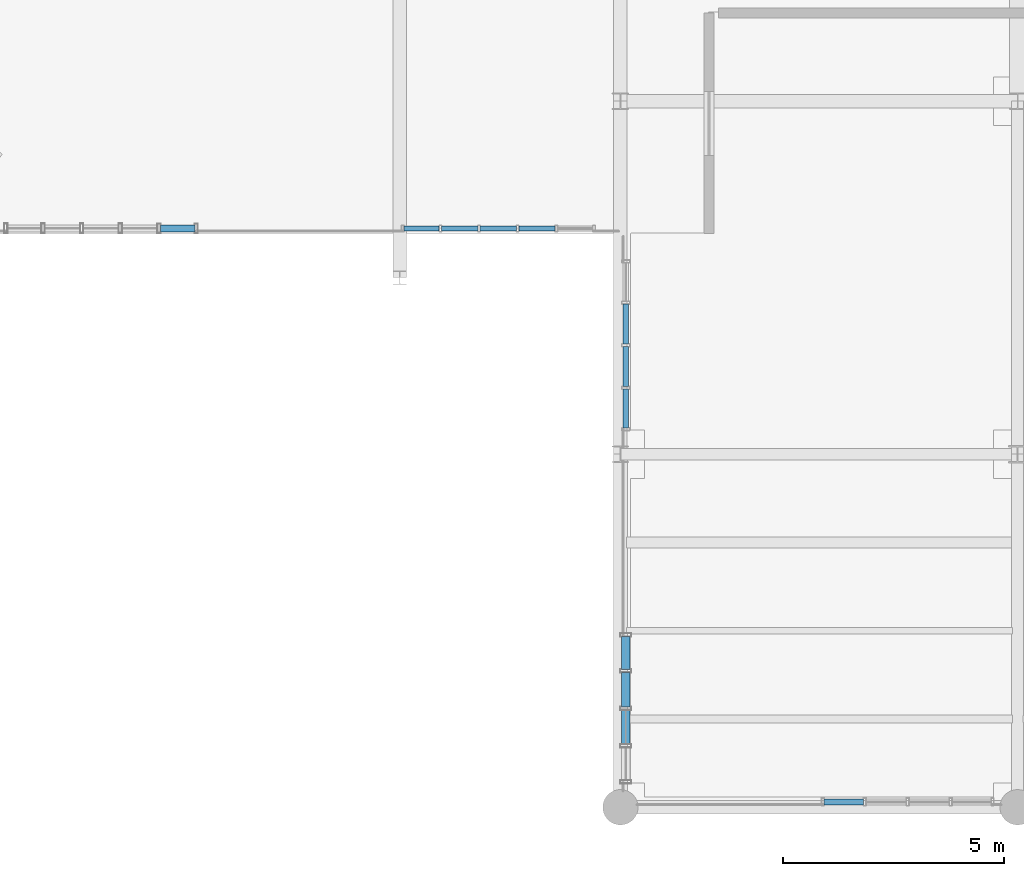
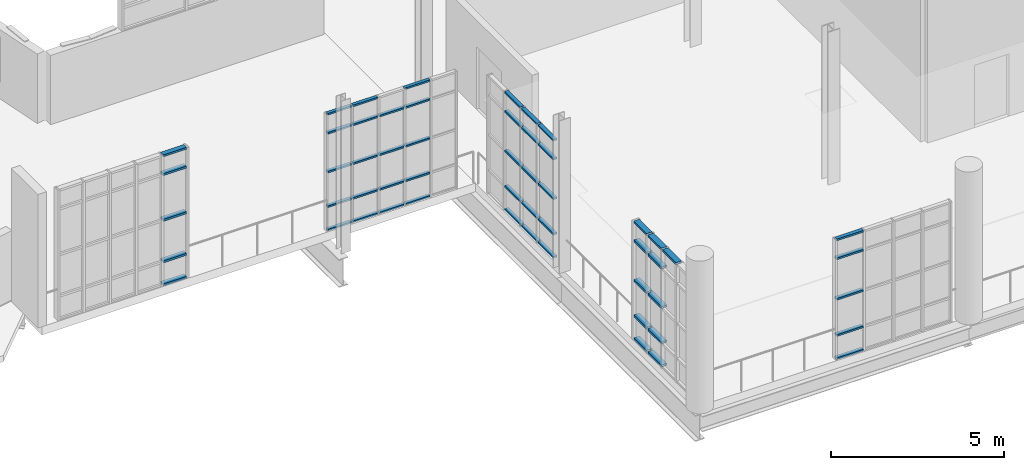
# One storey, part 88 of 142: 55 members, 5 elements without a shape of their own.
"""IFC4 building model written with IfcOpenShell, lengths in metres."""

from ifc_helpers import new_model, si_unit, direction, frame, origin, origin_2d, place, context, subcontext, project, spatial, hollow_rectangle, extrude, material, layer, layer_set, material_profile, profile_set, type_object, element, aggregate, save


model = new_model("IFC4")

# Units and contexts
model_context = context("Model", 3, precision=1e-05, world=origin(), true_north=direction((0.0, 1.0)))
body_context = subcontext(model_context, "Body", "Model", "MODEL_VIEW")
ifc_project = project(units=[si_unit("LENGTHUNIT", "METRE"), si_unit("AREAUNIT", "SQUARE_METRE"), si_unit("VOLUMEUNIT", "CUBIC_METRE"), si_unit("PLANEANGLEUNIT", "RADIAN"), si_unit("MASSUNIT", "GRAM", prefix="KILO"), si_unit("THERMODYNAMICTEMPERATUREUNIT", "KELVIN"), si_unit("POWERUNIT", "WATT")], contexts=[model_context])

# Site, building, storey
site_placement = place(None, origin())
site = spatial("IfcSite", under=ifc_project, at=site_placement, CompositionType="ELEMENT")
building_placement = place(site_placement, origin())
building = spatial("IfcBuilding", under=site, at=building_placement, Name="Zelmaris Science Centre", CompositionType="ELEMENT")
storey_placement = place(building_placement, frame((0.0, 0.0, 5.39990234375)))
storey = spatial("IfcBuildingStorey", under=building, at=storey_placement, Name="L01", CompositionType="ELEMENT", Elevation=5.39990234375)

# Curtain wall, members
ifc_material = material(Name="Anodised architectural aluminium 6063-T6", Category="aluminium")
ifc_layer_1 = layer(ifc_material, 0.219970703125, Name="Anodised architectural aluminium 6063-T6")
ifc_layer_set_1 = layer_set([ifc_layer_1], Name="Anodised architectural aluminium 6063-T6")
curtain_wall_type_1 = type_object("IfcCurtainWallType", Name="Curtain Wall CW-04", PredefinedType="USERDEFINED", material=ifc_layer_set_1)
curtain_wall_1_placement = place(storey_placement, origin())
curtain_wall_1 = element("IfcCurtainWall", 1, at=curtain_wall_1_placement, inside=storey, type_object=curtain_wall_type_1, Name="L01 Unitised curtain wall 172", ObjectType="GLAZED CURTAIN WALL", PredefinedType="USERDEFINED")
ifc_material_profile_1 = material_profile(ifc_material, hollow_rectangle(XDim=0.06005859375, YDim=0.110107421875, WallThickness=0.0029296875, at=origin_2d()), Name="ALU-TRN-60X110")
ifc_profile_set_1 = profile_set([ifc_material_profile_1], Name="Anodised architectural aluminium 6063-T6")
member_type_1 = type_object("IfcMemberType", Name="ALU-TRN-60X110", PredefinedType="USERDEFINED", material=ifc_profile_set_1)
member_1_placement = place(storey_placement, frame((106.520751953125, 21.115966796875, 0.010986328125), z_axis=(-0.99999995613, 0.000296208518, 0.0), x_axis=(0.0, 0.0, 1.0)))
member_1 = element("IfcMember", 2, at=member_1_placement, type_object=member_type_1, Name="CW-04 transom 2.1", ObjectType="TRANSOM", PredefinedType="USERDEFINED", context=body_context, shape_type="SweptSolid", body=[
    extrude(hollow_rectangle(XDim=0.06005859375, YDim=0.110107421875, WallThickness=0.0029296875, at=origin_2d()), origin(), (0.0, 0.0, 1.0), 0.82421875),
])
member_2_placement = place(storey_placement, frame((106.520751953125, 21.115966796875, 0.835205078125), z_axis=(-0.99999995613, 0.000296208518, 0.0), x_axis=(0.0, 0.0, 1.0)))
member_2 = element("IfcMember", 3, at=member_2_placement, type_object=member_type_1, Name="CW-04 transom 2.2", ObjectType="TRANSOM", PredefinedType="USERDEFINED", context=body_context, shape_type="SweptSolid", body=[
    extrude(hollow_rectangle(XDim=0.06005859375, YDim=0.110107421875, WallThickness=0.0029296875, at=origin_2d()), origin(), (0.0, 0.0, 1.0), 0.82421875),
])
member_3_placement = place(storey_placement, frame((106.520751953125, 21.115966796875, 2.05908203125), z_axis=(-0.99999995613, 0.000296208518, 0.0), x_axis=(0.0, 0.0, 1.0)))
member_3 = element("IfcMember", 4, at=member_3_placement, type_object=member_type_1, Name="CW-04 transom 2.3", ObjectType="TRANSOM", PredefinedType="USERDEFINED", context=body_context, shape_type="SweptSolid", body=[
    extrude(hollow_rectangle(XDim=0.06005859375, YDim=0.110107421875, WallThickness=0.0029296875, at=origin_2d()), origin(), (0.0, 0.0, 1.0), 0.82421875),
])
member_4_placement = place(storey_placement, frame((106.520751953125, 21.115966796875, 3.43310546875), z_axis=(-0.99999995613, 0.000296208518, 0.0), x_axis=(0.0, 0.0, 1.0)))
member_4 = element("IfcMember", 5, at=member_4_placement, type_object=member_type_1, Name="CW-04 transom 2.4", ObjectType="TRANSOM", PredefinedType="USERDEFINED", context=body_context, shape_type="SweptSolid", body=[
    extrude(hollow_rectangle(XDim=0.06005859375, YDim=0.110107421875, WallThickness=0.0029296875, at=origin_2d()), origin(), (0.0, 0.0, 1.0), 0.82421875),
])
member_5_placement = place(storey_placement, frame((106.520751953125, 21.115966796875, 4.107177734375), z_axis=(-0.99999995613, 0.000296208518, 0.0), x_axis=(0.0, 0.0, 1.0)))
member_5 = element("IfcMember", 6, at=member_5_placement, type_object=member_type_1, Name="CW-04 transom 2.5", ObjectType="TRANSOM", PredefinedType="USERDEFINED", context=body_context, shape_type="SweptSolid", body=[
    extrude(hollow_rectangle(XDim=0.06005859375, YDim=0.110107421875, WallThickness=0.0029296875, at=origin_2d()), origin(), (0.0, 0.0, 1.0), 0.82421875),
])
member_6_placement = place(storey_placement, frame((105.64453125, 21.1162109375, 0.010986328125), z_axis=(-0.99999995613, 0.000296208518, 0.0), x_axis=(0.0, 0.0, 1.0)))
member_6 = element("IfcMember", 7, at=member_6_placement, type_object=member_type_1, Name="CW-04 transom 3.1", ObjectType="TRANSOM", PredefinedType="USERDEFINED", context=body_context, shape_type="SweptSolid", body=[
    extrude(hollow_rectangle(XDim=0.06005859375, YDim=0.110107421875, WallThickness=0.0029296875, at=origin_2d()), origin(), (0.0, 0.0, 1.0), 0.82421875),
])
member_7_placement = place(storey_placement, frame((105.64453125, 21.1162109375, 0.835205078125), z_axis=(-0.99999995613, 0.000296208518, 0.0), x_axis=(0.0, 0.0, 1.0)))
member_7 = element("IfcMember", 8, at=member_7_placement, type_object=member_type_1, Name="CW-04 transom 3.2", ObjectType="TRANSOM", PredefinedType="USERDEFINED", context=body_context, shape_type="SweptSolid", body=[
    extrude(hollow_rectangle(XDim=0.06005859375, YDim=0.110107421875, WallThickness=0.0029296875, at=origin_2d()), origin(), (0.0, 0.0, 1.0), 0.82421875),
])
member_8_placement = place(storey_placement, frame((105.64453125, 21.1162109375, 2.05908203125), z_axis=(-0.99999995613, 0.000296208518, 0.0), x_axis=(0.0, 0.0, 1.0)))
member_8 = element("IfcMember", 9, at=member_8_placement, type_object=member_type_1, Name="CW-04 transom 3.3", ObjectType="TRANSOM", PredefinedType="USERDEFINED", context=body_context, shape_type="SweptSolid", body=[
    extrude(hollow_rectangle(XDim=0.06005859375, YDim=0.110107421875, WallThickness=0.0029296875, at=origin_2d()), origin(), (0.0, 0.0, 1.0), 0.82421875),
])
member_9_placement = place(storey_placement, frame((105.64453125, 21.1162109375, 3.43310546875), z_axis=(-0.99999995613, 0.000296208518, 0.0), x_axis=(0.0, 0.0, 1.0)))
member_9 = element("IfcMember", 10, at=member_9_placement, type_object=member_type_1, Name="CW-04 transom 3.4", ObjectType="TRANSOM", PredefinedType="USERDEFINED", context=body_context, shape_type="SweptSolid", body=[
    extrude(hollow_rectangle(XDim=0.06005859375, YDim=0.110107421875, WallThickness=0.0029296875, at=origin_2d()), origin(), (0.0, 0.0, 1.0), 0.82421875),
])
member_10_placement = place(storey_placement, frame((104.768310546875, 21.116455078125, 0.010986328125), z_axis=(-0.99999995613, 0.000296208518, 0.0), x_axis=(0.0, 0.0, 1.0)))
member_10 = element("IfcMember", 11, at=member_10_placement, type_object=member_type_1, Name="CW-04 transom 4.1", ObjectType="TRANSOM", PredefinedType="USERDEFINED", context=body_context, shape_type="SweptSolid", body=[
    extrude(hollow_rectangle(XDim=0.06005859375, YDim=0.110107421875, WallThickness=0.0029296875, at=origin_2d()), origin(), (0.0, 0.0, 1.0), 0.82421875),
])
member_11_placement = place(storey_placement, frame((104.768310546875, 21.116455078125, 0.835205078125), z_axis=(-0.99999995613, 0.000296208518, 0.0), x_axis=(0.0, 0.0, 1.0)))
member_11 = element("IfcMember", 12, at=member_11_placement, type_object=member_type_1, Name="CW-04 transom 4.2", ObjectType="TRANSOM", PredefinedType="USERDEFINED", context=body_context, shape_type="SweptSolid", body=[
    extrude(hollow_rectangle(XDim=0.06005859375, YDim=0.110107421875, WallThickness=0.0029296875, at=origin_2d()), origin(), (0.0, 0.0, 1.0), 0.82421875),
])
member_12_placement = place(storey_placement, frame((104.768310546875, 21.116455078125, 2.05908203125), z_axis=(-0.99999995613, 0.000296208518, 0.0), x_axis=(0.0, 0.0, 1.0)))
member_12 = element("IfcMember", 13, at=member_12_placement, type_object=member_type_1, Name="CW-04 transom 4.3", ObjectType="TRANSOM", PredefinedType="USERDEFINED", context=body_context, shape_type="SweptSolid", body=[
    extrude(hollow_rectangle(XDim=0.06005859375, YDim=0.110107421875, WallThickness=0.0029296875, at=origin_2d()), origin(), (0.0, 0.0, 1.0), 0.82421875),
])
member_13_placement = place(storey_placement, frame((104.768310546875, 21.116455078125, 3.43310546875), z_axis=(-0.99999995613, 0.000296208518, 0.0), x_axis=(0.0, 0.0, 1.0)))
member_13 = element("IfcMember", 14, at=member_13_placement, type_object=member_type_1, Name="CW-04 transom 4.4", ObjectType="TRANSOM", PredefinedType="USERDEFINED", context=body_context, shape_type="SweptSolid", body=[
    extrude(hollow_rectangle(XDim=0.06005859375, YDim=0.110107421875, WallThickness=0.0029296875, at=origin_2d()), origin(), (0.0, 0.0, 1.0), 0.82421875),
])
member_14_placement = place(storey_placement, frame((104.768310546875, 21.116455078125, 4.107177734375), z_axis=(-0.99999995613, 0.000296208518, 0.0), x_axis=(0.0, 0.0, 1.0)))
member_14 = element("IfcMember", 15, at=member_14_placement, type_object=member_type_1, Name="CW-04 transom 4.5", ObjectType="TRANSOM", PredefinedType="USERDEFINED", context=body_context, shape_type="SweptSolid", body=[
    extrude(hollow_rectangle(XDim=0.06005859375, YDim=0.110107421875, WallThickness=0.0029296875, at=origin_2d()), origin(), (0.0, 0.0, 1.0), 0.82421875),
])
member_15_placement = place(storey_placement, frame((103.89208984375, 21.11669921875, 0.010986328125), z_axis=(-0.999999953211, 0.000305903932, 0.0), x_axis=(0.0, 0.0, 1.0)))
member_15 = element("IfcMember", 16, at=member_15_placement, type_object=member_type_1, Name="CW-04 transom 5.1", ObjectType="TRANSOM", PredefinedType="USERDEFINED", context=body_context, shape_type="SweptSolid", body=[
    extrude(hollow_rectangle(XDim=0.06005859375, YDim=0.110107421875, WallThickness=0.0029296875, at=origin_2d()), origin(), (0.0, 0.0, 1.0), 0.798095703125),
])
member_16_placement = place(storey_placement, frame((103.89208984375, 21.11669921875, 0.835205078125), z_axis=(-0.999999953211, 0.000305903932, 0.0), x_axis=(0.0, 0.0, 1.0)))
member_16 = element("IfcMember", 17, at=member_16_placement, type_object=member_type_1, Name="CW-04 transom 5.2", ObjectType="TRANSOM", PredefinedType="USERDEFINED", context=body_context, shape_type="SweptSolid", body=[
    extrude(hollow_rectangle(XDim=0.06005859375, YDim=0.110107421875, WallThickness=0.0029296875, at=origin_2d()), origin(), (0.0, 0.0, 1.0), 0.798095703125),
])
member_17_placement = place(storey_placement, frame((103.89208984375, 21.11669921875, 2.05908203125), z_axis=(-0.999999953211, 0.000305903932, 0.0), x_axis=(0.0, 0.0, 1.0)))
member_17 = element("IfcMember", 18, at=member_17_placement, type_object=member_type_1, Name="CW-04 transom 5.3", ObjectType="TRANSOM", PredefinedType="USERDEFINED", context=body_context, shape_type="SweptSolid", body=[
    extrude(hollow_rectangle(XDim=0.06005859375, YDim=0.110107421875, WallThickness=0.0029296875, at=origin_2d()), origin(), (0.0, 0.0, 1.0), 0.798095703125),
])
member_18_placement = place(storey_placement, frame((103.89208984375, 21.11669921875, 3.43310546875), z_axis=(-0.999999953211, 0.000305903932, 0.0), x_axis=(0.0, 0.0, 1.0)))
member_18 = element("IfcMember", 19, at=member_18_placement, type_object=member_type_1, Name="CW-04 transom 5.4", ObjectType="TRANSOM", PredefinedType="USERDEFINED", context=body_context, shape_type="SweptSolid", body=[
    extrude(hollow_rectangle(XDim=0.06005859375, YDim=0.110107421875, WallThickness=0.0029296875, at=origin_2d()), origin(), (0.0, 0.0, 1.0), 0.798095703125),
])
member_19_placement = place(storey_placement, frame((103.89208984375, 21.11669921875, 4.107177734375), z_axis=(-0.999999953211, 0.000305903932, 0.0), x_axis=(0.0, 0.0, 1.0)))
member_19 = element("IfcMember", 20, at=member_19_placement, type_object=member_type_1, Name="CW-04 transom 5.5", ObjectType="TRANSOM", PredefinedType="USERDEFINED", context=body_context, shape_type="SweptSolid", body=[
    extrude(hollow_rectangle(XDim=0.06005859375, YDim=0.110107421875, WallThickness=0.0029296875, at=origin_2d()), origin(), (0.0, 0.0, 1.0), 0.798095703125),
])
aggregate(curtain_wall_1, [member_1, member_2, member_3, member_4, member_5, member_6, member_7, member_8, member_9, member_10, member_11, member_12, member_13, member_14, member_15, member_16, member_17, member_18, member_19])

ifc_layer_2 = layer(ifc_material, 0.2099609375, Name="Anodised architectural aluminium 6063-T6")
ifc_layer_set_2 = layer_set([ifc_layer_2], Name="Anodised architectural aluminium 6063-T6")
curtain_wall_type_2 = type_object("IfcCurtainWallType", Name="Curtain Wall CW-03", PredefinedType="USERDEFINED", material=ifc_layer_set_2)
curtain_wall_2_placement = place(storey_placement, origin())
curtain_wall_2 = element("IfcCurtainWall", 21, at=curtain_wall_2_placement, inside=storey, type_object=curtain_wall_type_2, Name="L01 Unitised curtain wall 167", ObjectType="GLAZED CURTAIN WALL", PredefinedType="USERDEFINED")
ifc_material_profile_2 = material_profile(ifc_material, hollow_rectangle(XDim=0.06494140625, YDim=0.1298828125, WallThickness=0.00341796875, at=origin_2d()), Name="ALU-TRN-65X130")
ifc_profile_set_2 = profile_set([ifc_material_profile_2], Name="Anodised architectural aluminium 6063-T6")
member_type_2 = type_object("IfcMemberType", Name="ALU-TRN-65X130", PredefinedType="USERDEFINED", material=ifc_profile_set_2)
member_20_placement = place(storey_placement, frame((113.506591796875, 8.1201171875, 0.013671875), z_axis=(-1.0, 0.0, 0.0), x_axis=(0.0, 0.0, 1.0)))
member_20 = element("IfcMember", 22, at=member_20_placement, type_object=member_type_2, Name="CW-03 transom 4.1", ObjectType="TRANSOM", PredefinedType="USERDEFINED", context=body_context, shape_type="SweptSolid", body=[
    extrude(hollow_rectangle(XDim=0.06494140625, YDim=0.1298828125, WallThickness=0.00341796875, at=origin_2d()), origin(), (0.0, 0.0, 1.0), 0.8896484375),
])
member_21_placement = place(storey_placement, frame((113.506591796875, 8.1201171875, 0.835205078125), z_axis=(-1.0, 0.0, 0.0), x_axis=(0.0, 0.0, 1.0)))
member_21 = element("IfcMember", 23, at=member_21_placement, type_object=member_type_2, Name="CW-03 transom 4.2", ObjectType="TRANSOM", PredefinedType="USERDEFINED", context=body_context, shape_type="SweptSolid", body=[
    extrude(hollow_rectangle(XDim=0.06494140625, YDim=0.1298828125, WallThickness=0.00341796875, at=origin_2d()), origin(), (0.0, 0.0, 1.0), 0.8896484375),
])
member_22_placement = place(storey_placement, frame((113.506591796875, 8.1201171875, 2.115478515625), z_axis=(-1.0, 0.0, 0.0), x_axis=(0.0, 0.0, 1.0)))
member_22 = element("IfcMember", 24, at=member_22_placement, type_object=member_type_2, Name="CW-03 transom 4.3", ObjectType="TRANSOM", PredefinedType="USERDEFINED", context=body_context, shape_type="SweptSolid", body=[
    extrude(hollow_rectangle(XDim=0.06494140625, YDim=0.1298828125, WallThickness=0.00341796875, at=origin_2d()), origin(), (0.0, 0.0, 1.0), 0.8896484375),
])
member_23_placement = place(storey_placement, frame((113.506591796875, 8.1201171875, 3.546142578125), z_axis=(-1.0, 0.0, 0.0), x_axis=(0.0, 0.0, 1.0)))
member_23 = element("IfcMember", 25, at=member_23_placement, type_object=member_type_2, Name="CW-03 transom 4.4", ObjectType="TRANSOM", PredefinedType="USERDEFINED", context=body_context, shape_type="SweptSolid", body=[
    extrude(hollow_rectangle(XDim=0.06494140625, YDim=0.1298828125, WallThickness=0.00341796875, at=origin_2d()), origin(), (0.0, 0.0, 1.0), 0.8896484375),
])
member_24_placement = place(storey_placement, frame((113.506591796875, 8.1201171875, 4.217529296875), z_axis=(-1.0, 0.0, 0.0), x_axis=(0.0, 0.0, 1.0)))
member_24 = element("IfcMember", 26, at=member_24_placement, type_object=member_type_2, Name="CW-03 transom 4.5", ObjectType="TRANSOM", PredefinedType="USERDEFINED", context=body_context, shape_type="SweptSolid", body=[
    extrude(hollow_rectangle(XDim=0.06494140625, YDim=0.1298828125, WallThickness=0.00341796875, at=origin_2d()), origin(), (0.0, 0.0, 1.0), 0.8896484375),
])
aggregate(curtain_wall_2, [member_20, member_21, member_22, member_23, member_24])

curtain_wall_3_placement = place(storey_placement, origin())
curtain_wall_3 = element("IfcCurtainWall", 27, at=curtain_wall_3_placement, inside=storey, type_object=curtain_wall_type_2, Name="L01 Unitised curtain wall 171", ObjectType="GLAZED CURTAIN WALL", PredefinedType="USERDEFINED")
member_25_placement = place(storey_placement, frame((108.1201171875, 16.596923828125, 0.013671875), z_axis=(0.0, 1.0, 0.0), x_axis=(0.0, 0.0, 1.0)))
member_25 = element("IfcMember", 28, at=member_25_placement, type_object=member_type_2, Name="CW-03 transom 1.1", ObjectType="TRANSOM", PredefinedType="USERDEFINED", context=body_context, shape_type="SweptSolid", body=[
    extrude(hollow_rectangle(XDim=0.06494140625, YDim=0.1298828125, WallThickness=0.00341796875, at=origin_2d()), origin(), (0.0, 0.0, 1.0), 0.879638671875),
])
member_26_placement = place(storey_placement, frame((108.1201171875, 16.596923828125, 0.835205078125), z_axis=(0.0, 1.0, 0.0), x_axis=(0.0, 0.0, 1.0)))
member_26 = element("IfcMember", 29, at=member_26_placement, type_object=member_type_2, Name="CW-03 transom 1.2", ObjectType="TRANSOM", PredefinedType="USERDEFINED", context=body_context, shape_type="SweptSolid", body=[
    extrude(hollow_rectangle(XDim=0.06494140625, YDim=0.1298828125, WallThickness=0.00341796875, at=origin_2d()), origin(), (0.0, 0.0, 1.0), 0.879638671875),
])
member_27_placement = place(storey_placement, frame((108.1201171875, 16.596923828125, 2.085693359375), z_axis=(0.0, 1.0, 0.0), x_axis=(0.0, 0.0, 1.0)))
member_27 = element("IfcMember", 30, at=member_27_placement, type_object=member_type_2, Name="CW-03 transom 1.3", ObjectType="TRANSOM", PredefinedType="USERDEFINED", context=body_context, shape_type="SweptSolid", body=[
    extrude(hollow_rectangle(XDim=0.06494140625, YDim=0.1298828125, WallThickness=0.00341796875, at=origin_2d()), origin(), (0.0, 0.0, 1.0), 0.879638671875),
])
member_28_placement = place(storey_placement, frame((108.1201171875, 16.596923828125, 3.486083984375), z_axis=(0.0, 1.0, 0.0), x_axis=(0.0, 0.0, 1.0)))
member_28 = element("IfcMember", 31, at=member_28_placement, type_object=member_type_2, Name="CW-03 transom 1.4", ObjectType="TRANSOM", PredefinedType="USERDEFINED", context=body_context, shape_type="SweptSolid", body=[
    extrude(hollow_rectangle(XDim=0.06494140625, YDim=0.1298828125, WallThickness=0.00341796875, at=origin_2d()), origin(), (0.0, 0.0, 1.0), 0.879638671875),
])
member_29_placement = place(storey_placement, frame((108.1201171875, 16.596923828125, 4.15771484375), z_axis=(0.0, 1.0, 0.0), x_axis=(0.0, 0.0, 1.0)))
member_29 = element("IfcMember", 32, at=member_29_placement, type_object=member_type_2, Name="CW-03 transom 1.5", ObjectType="TRANSOM", PredefinedType="USERDEFINED", context=body_context, shape_type="SweptSolid", body=[
    extrude(hollow_rectangle(XDim=0.06494140625, YDim=0.1298828125, WallThickness=0.00341796875, at=origin_2d()), origin(), (0.0, 0.0, 1.0), 0.879638671875),
])
member_30_placement = place(storey_placement, frame((108.1201171875, 17.533447265625, 0.013671875), z_axis=(0.0, 1.0, 0.0), x_axis=(0.0, 0.0, 1.0)))
member_30 = element("IfcMember", 33, at=member_30_placement, type_object=member_type_2, Name="CW-03 transom 2.1", ObjectType="TRANSOM", PredefinedType="USERDEFINED", context=body_context, shape_type="SweptSolid", body=[
    extrude(hollow_rectangle(XDim=0.06494140625, YDim=0.1298828125, WallThickness=0.00341796875, at=origin_2d()), origin(), (0.0, 0.0, 1.0), 0.907958984375),
])
member_31_placement = place(storey_placement, frame((108.1201171875, 17.533447265625, 0.835205078125), z_axis=(0.0, 1.0, 0.0), x_axis=(0.0, 0.0, 1.0)))
member_31 = element("IfcMember", 34, at=member_31_placement, type_object=member_type_2, Name="CW-03 transom 2.2", ObjectType="TRANSOM", PredefinedType="USERDEFINED", context=body_context, shape_type="SweptSolid", body=[
    extrude(hollow_rectangle(XDim=0.06494140625, YDim=0.1298828125, WallThickness=0.00341796875, at=origin_2d()), origin(), (0.0, 0.0, 1.0), 0.907958984375),
])
member_32_placement = place(storey_placement, frame((108.1201171875, 17.533447265625, 2.085693359375), z_axis=(0.0, 1.0, 0.0), x_axis=(0.0, 0.0, 1.0)))
member_32 = element("IfcMember", 35, at=member_32_placement, type_object=member_type_2, Name="CW-03 transom 2.3", ObjectType="TRANSOM", PredefinedType="USERDEFINED", context=body_context, shape_type="SweptSolid", body=[
    extrude(hollow_rectangle(XDim=0.06494140625, YDim=0.1298828125, WallThickness=0.00341796875, at=origin_2d()), origin(), (0.0, 0.0, 1.0), 0.907958984375),
])
member_33_placement = place(storey_placement, frame((108.1201171875, 17.533447265625, 3.486083984375), z_axis=(0.0, 1.0, 0.0), x_axis=(0.0, 0.0, 1.0)))
member_33 = element("IfcMember", 36, at=member_33_placement, type_object=member_type_2, Name="CW-03 transom 2.4", ObjectType="TRANSOM", PredefinedType="USERDEFINED", context=body_context, shape_type="SweptSolid", body=[
    extrude(hollow_rectangle(XDim=0.06494140625, YDim=0.1298828125, WallThickness=0.00341796875, at=origin_2d()), origin(), (0.0, 0.0, 1.0), 0.907958984375),
])
member_34_placement = place(storey_placement, frame((108.1201171875, 17.533447265625, 4.15771484375), z_axis=(0.0, 1.0, 0.0), x_axis=(0.0, 0.0, 1.0)))
member_34 = element("IfcMember", 37, at=member_34_placement, type_object=member_type_2, Name="CW-03 transom 2.5", ObjectType="TRANSOM", PredefinedType="USERDEFINED", context=body_context, shape_type="SweptSolid", body=[
    extrude(hollow_rectangle(XDim=0.06494140625, YDim=0.1298828125, WallThickness=0.00341796875, at=origin_2d()), origin(), (0.0, 0.0, 1.0), 0.907958984375),
])
member_35_placement = place(storey_placement, frame((108.1201171875, 18.49853515625, 0.013671875), z_axis=(0.0, 1.0, 0.0), x_axis=(0.0, 0.0, 1.0)))
member_35 = element("IfcMember", 38, at=member_35_placement, type_object=member_type_2, Name="CW-03 transom 3.1", ObjectType="TRANSOM", PredefinedType="USERDEFINED", context=body_context, shape_type="SweptSolid", body=[
    extrude(hollow_rectangle(XDim=0.06494140625, YDim=0.1298828125, WallThickness=0.00341796875, at=origin_2d()), origin(), (0.0, 0.0, 1.0), 0.907958984375),
])
member_36_placement = place(storey_placement, frame((108.1201171875, 18.49853515625, 0.835205078125), z_axis=(0.0, 1.0, 0.0), x_axis=(0.0, 0.0, 1.0)))
member_36 = element("IfcMember", 39, at=member_36_placement, type_object=member_type_2, Name="CW-03 transom 3.2", ObjectType="TRANSOM", PredefinedType="USERDEFINED", context=body_context, shape_type="SweptSolid", body=[
    extrude(hollow_rectangle(XDim=0.06494140625, YDim=0.1298828125, WallThickness=0.00341796875, at=origin_2d()), origin(), (0.0, 0.0, 1.0), 0.907958984375),
])
member_37_placement = place(storey_placement, frame((108.1201171875, 18.49853515625, 2.085693359375), z_axis=(0.0, 1.0, 0.0), x_axis=(0.0, 0.0, 1.0)))
member_37 = element("IfcMember", 40, at=member_37_placement, type_object=member_type_2, Name="CW-03 transom 3.3", ObjectType="TRANSOM", PredefinedType="USERDEFINED", context=body_context, shape_type="SweptSolid", body=[
    extrude(hollow_rectangle(XDim=0.06494140625, YDim=0.1298828125, WallThickness=0.00341796875, at=origin_2d()), origin(), (0.0, 0.0, 1.0), 0.907958984375),
])
member_38_placement = place(storey_placement, frame((108.1201171875, 18.49853515625, 3.486083984375), z_axis=(0.0, 1.0, 0.0), x_axis=(0.0, 0.0, 1.0)))
member_38 = element("IfcMember", 41, at=member_38_placement, type_object=member_type_2, Name="CW-03 transom 3.4", ObjectType="TRANSOM", PredefinedType="USERDEFINED", context=body_context, shape_type="SweptSolid", body=[
    extrude(hollow_rectangle(XDim=0.06494140625, YDim=0.1298828125, WallThickness=0.00341796875, at=origin_2d()), origin(), (0.0, 0.0, 1.0), 0.907958984375),
])
member_39_placement = place(storey_placement, frame((108.1201171875, 18.49853515625, 4.15771484375), z_axis=(0.0, 1.0, 0.0), x_axis=(0.0, 0.0, 1.0)))
member_39 = element("IfcMember", 42, at=member_39_placement, type_object=member_type_2, Name="CW-03 transom 3.5", ObjectType="TRANSOM", PredefinedType="USERDEFINED", context=body_context, shape_type="SweptSolid", body=[
    extrude(hollow_rectangle(XDim=0.06494140625, YDim=0.1298828125, WallThickness=0.00341796875, at=origin_2d()), origin(), (0.0, 0.0, 1.0), 0.907958984375),
])
aggregate(curtain_wall_3, [member_25, member_26, member_27, member_28, member_29, member_30, member_31, member_32, member_33, member_34, member_35, member_36, member_37, member_38, member_39])

ifc_layer_3 = layer(ifc_material, 0.199951171875, Name="Anodised architectural aluminium 6063-T6")
ifc_layer_set_3 = layer_set([ifc_layer_3], Name="Anodised architectural aluminium 6063-T6")
curtain_wall_type_3 = type_object("IfcCurtainWallType", Name="Curtain Wall CW-02", PredefinedType="USERDEFINED", material=ifc_layer_set_3)
curtain_wall_4_placement = place(storey_placement, origin())
curtain_wall_4 = element("IfcCurtainWall", 43, at=curtain_wall_4_placement, inside=storey, type_object=curtain_wall_type_3, Name="L01 Unitised curtain wall 174", ObjectType="GLAZED CURTAIN WALL", PredefinedType="USERDEFINED")
ifc_material_profile_3 = material_profile(ifc_material, hollow_rectangle(XDim=0.074951171875, YDim=0.159912109375, WallThickness=0.00390625, at=origin_2d()), Name="ALU-TRN-75X160")
ifc_profile_set_3 = profile_set([ifc_material_profile_3], Name="Anodised architectural aluminium 6063-T6")
member_type_3 = type_object("IfcMemberType", Name="ALU-TRN-75X160", PredefinedType="USERDEFINED", material=ifc_profile_set_3)
member_40_placement = place(storey_placement, frame((98.35400390625, 21.118408203125, 0.0185546875), z_axis=(-0.999999950462, 0.000314762339, 0.0), x_axis=(0.0, 0.0, 1.0)))
member_40 = element("IfcMember", 44, at=member_40_placement, type_object=member_type_3, Name="CW-02 transom 1.1", ObjectType="TRANSOM", PredefinedType="USERDEFINED", context=body_context, shape_type="SweptSolid", body=[
    extrude(hollow_rectangle(XDim=0.074951171875, YDim=0.159912109375, WallThickness=0.00390625, at=origin_2d()), origin(), (0.0, 0.0, 1.0), 0.775634765625),
])
member_41_placement = place(storey_placement, frame((98.35400390625, 21.118408203125, 0.835205078125), z_axis=(-0.999999950462, 0.000314762339, 0.0), x_axis=(0.0, 0.0, 1.0)))
member_41 = element("IfcMember", 45, at=member_41_placement, type_object=member_type_3, Name="CW-02 transom 1.2", ObjectType="TRANSOM", PredefinedType="USERDEFINED", context=body_context, shape_type="SweptSolid", body=[
    extrude(hollow_rectangle(XDim=0.074951171875, YDim=0.159912109375, WallThickness=0.00390625, at=origin_2d()), origin(), (0.0, 0.0, 1.0), 0.775634765625),
])
member_42_placement = place(storey_placement, frame((98.35400390625, 21.118408203125, 2.302490234375), z_axis=(-0.999999950462, 0.000314762339, 0.0), x_axis=(0.0, 0.0, 1.0)))
member_42 = element("IfcMember", 46, at=member_42_placement, type_object=member_type_3, Name="CW-02 transom 1.3", ObjectType="TRANSOM", PredefinedType="USERDEFINED", context=body_context, shape_type="SweptSolid", body=[
    extrude(hollow_rectangle(XDim=0.074951171875, YDim=0.159912109375, WallThickness=0.00390625, at=origin_2d()), origin(), (0.0, 0.0, 1.0), 0.775634765625),
])
member_43_placement = place(storey_placement, frame((98.35400390625, 21.118408203125, 3.920166015625), z_axis=(-0.999999950462, 0.000314762339, 0.0), x_axis=(0.0, 0.0, 1.0)))
member_43 = element("IfcMember", 47, at=member_43_placement, type_object=member_type_3, Name="CW-02 transom 1.4", ObjectType="TRANSOM", PredefinedType="USERDEFINED", context=body_context, shape_type="SweptSolid", body=[
    extrude(hollow_rectangle(XDim=0.074951171875, YDim=0.159912109375, WallThickness=0.00390625, at=origin_2d()), origin(), (0.0, 0.0, 1.0), 0.775634765625),
])
member_44_placement = place(storey_placement, frame((98.35400390625, 21.118408203125, 4.586669921875), z_axis=(-0.999999950462, 0.000314762339, 0.0), x_axis=(0.0, 0.0, 1.0)))
member_44 = element("IfcMember", 48, at=member_44_placement, type_object=member_type_3, Name="CW-02 transom 1.5", ObjectType="TRANSOM", PredefinedType="USERDEFINED", context=body_context, shape_type="SweptSolid", body=[
    extrude(hollow_rectangle(XDim=0.074951171875, YDim=0.159912109375, WallThickness=0.00390625, at=origin_2d()), origin(), (0.0, 0.0, 1.0), 0.775634765625),
])
aggregate(curtain_wall_4, [member_40, member_41, member_42, member_43, member_44])

ifc_layer_4 = layer(ifc_material, 0.18994140625, Name="Anodised architectural aluminium 6063-T6")
ifc_layer_set_4 = layer_set([ifc_layer_4], Name="Anodised architectural aluminium 6063-T6")
curtain_wall_type_4 = type_object("IfcCurtainWallType", Name="Curtain Wall CW-01", PredefinedType="USERDEFINED", material=ifc_layer_set_4)
curtain_wall_5_placement = place(storey_placement, origin())
curtain_wall_5 = element("IfcCurtainWall", 49, at=curtain_wall_5_placement, inside=storey, type_object=curtain_wall_type_4, Name="L01 Unitised curtain wall 169", ObjectType="GLAZED CURTAIN WALL", PredefinedType="USERDEFINED")
ifc_material_profile_4 = material_profile(ifc_material, hollow_rectangle(XDim=0.080078125, YDim=0.18994140625, WallThickness=0.00439453125, at=origin_2d()), Name="ALU-TRN-80X190")
ifc_profile_set_4 = profile_set([ifc_material_profile_4], Name="Anodised architectural aluminium 6063-T6")
member_type_4 = type_object("IfcMemberType", Name="ALU-TRN-80X190", PredefinedType="USERDEFINED", material=ifc_profile_set_4)
member_45_placement = place(storey_placement, frame((108.1201171875, 9.426025390625, 4.150146484375), z_axis=(0.0, 1.0, 0.0), x_axis=(0.0, 0.0, 1.0)))
member_45 = element("IfcMember", 50, at=member_45_placement, type_object=member_type_4, Name="CW-01 transom 2.5", ObjectType="TRANSOM", PredefinedType="USERDEFINED", context=body_context, shape_type="SweptSolid", body=[
    extrude(hollow_rectangle(XDim=0.080078125, YDim=0.18994140625, WallThickness=0.00439453125, at=origin_2d()), origin(), (0.0, 0.0, 1.0), 0.778076171875),
])
member_46_placement = place(storey_placement, frame((108.1201171875, 10.276123046875, 0.02099609375), z_axis=(0.0, 1.0, 0.0), x_axis=(0.0, 0.0, 1.0)))
member_46 = element("IfcMember", 51, at=member_46_placement, type_object=member_type_4, Name="CW-01 transom 3.1", ObjectType="TRANSOM", PredefinedType="USERDEFINED", context=body_context, shape_type="SweptSolid", body=[
    extrude(hollow_rectangle(XDim=0.080078125, YDim=0.18994140625, WallThickness=0.00439453125, at=origin_2d()), origin(), (0.0, 0.0, 1.0), 0.77783203125),
])
member_47_placement = place(storey_placement, frame((108.1201171875, 10.276123046875, 0.835205078125), z_axis=(0.0, 1.0, 0.0), x_axis=(0.0, 0.0, 1.0)))
member_47 = element("IfcMember", 52, at=member_47_placement, type_object=member_type_4, Name="CW-01 transom 3.2", ObjectType="TRANSOM", PredefinedType="USERDEFINED", context=body_context, shape_type="SweptSolid", body=[
    extrude(hollow_rectangle(XDim=0.080078125, YDim=0.18994140625, WallThickness=0.00439453125, at=origin_2d()), origin(), (0.0, 0.0, 1.0), 0.77783203125),
])
member_48_placement = place(storey_placement, frame((108.1201171875, 10.276123046875, 2.085693359375), z_axis=(0.0, 1.0, 0.0), x_axis=(0.0, 0.0, 1.0)))
member_48 = element("IfcMember", 53, at=member_48_placement, type_object=member_type_4, Name="CW-01 transom 3.3", ObjectType="TRANSOM", PredefinedType="USERDEFINED", context=body_context, shape_type="SweptSolid", body=[
    extrude(hollow_rectangle(XDim=0.080078125, YDim=0.18994140625, WallThickness=0.00439453125, at=origin_2d()), origin(), (0.0, 0.0, 1.0), 0.77783203125),
])
member_49_placement = place(storey_placement, frame((108.1201171875, 10.276123046875, 3.486083984375), z_axis=(0.0, 1.0, 0.0), x_axis=(0.0, 0.0, 1.0)))
member_49 = element("IfcMember", 54, at=member_49_placement, type_object=member_type_4, Name="CW-01 transom 3.4", ObjectType="TRANSOM", PredefinedType="USERDEFINED", context=body_context, shape_type="SweptSolid", body=[
    extrude(hollow_rectangle(XDim=0.080078125, YDim=0.18994140625, WallThickness=0.00439453125, at=origin_2d()), origin(), (0.0, 0.0, 1.0), 0.77783203125),
])
member_50_placement = place(storey_placement, frame((108.1201171875, 10.276123046875, 4.150146484375), z_axis=(0.0, 1.0, 0.0), x_axis=(0.0, 0.0, 1.0)))
member_50 = element("IfcMember", 55, at=member_50_placement, type_object=member_type_4, Name="CW-01 transom 3.5", ObjectType="TRANSOM", PredefinedType="USERDEFINED", context=body_context, shape_type="SweptSolid", body=[
    extrude(hollow_rectangle(XDim=0.080078125, YDim=0.18994140625, WallThickness=0.00439453125, at=origin_2d()), origin(), (0.0, 0.0, 1.0), 0.77783203125),
])
member_51_placement = place(storey_placement, frame((108.1201171875, 11.1259765625, 0.02099609375), z_axis=(0.0, 1.0, 0.0), x_axis=(0.0, 0.0, 1.0)))
member_51 = element("IfcMember", 56, at=member_51_placement, type_object=member_type_4, Name="CW-01 transom 4.1", ObjectType="TRANSOM", PredefinedType="USERDEFINED", context=body_context, shape_type="SweptSolid", body=[
    extrude(hollow_rectangle(XDim=0.080078125, YDim=0.18994140625, WallThickness=0.00439453125, at=origin_2d()), origin(), (0.0, 0.0, 1.0), 0.741943359375),
])
member_52_placement = place(storey_placement, frame((108.1201171875, 11.1259765625, 0.835205078125), z_axis=(0.0, 1.0, 0.0), x_axis=(0.0, 0.0, 1.0)))
member_52 = element("IfcMember", 57, at=member_52_placement, type_object=member_type_4, Name="CW-01 transom 4.2", ObjectType="TRANSOM", PredefinedType="USERDEFINED", context=body_context, shape_type="SweptSolid", body=[
    extrude(hollow_rectangle(XDim=0.080078125, YDim=0.18994140625, WallThickness=0.00439453125, at=origin_2d()), origin(), (0.0, 0.0, 1.0), 0.741943359375),
])
member_53_placement = place(storey_placement, frame((108.1201171875, 11.1259765625, 2.085693359375), z_axis=(0.0, 1.0, 0.0), x_axis=(0.0, 0.0, 1.0)))
member_53 = element("IfcMember", 58, at=member_53_placement, type_object=member_type_4, Name="CW-01 transom 4.3", ObjectType="TRANSOM", PredefinedType="USERDEFINED", context=body_context, shape_type="SweptSolid", body=[
    extrude(hollow_rectangle(XDim=0.080078125, YDim=0.18994140625, WallThickness=0.00439453125, at=origin_2d()), origin(), (0.0, 0.0, 1.0), 0.741943359375),
])
member_54_placement = place(storey_placement, frame((108.1201171875, 11.1259765625, 3.486083984375), z_axis=(0.0, 1.0, 0.0), x_axis=(0.0, 0.0, 1.0)))
member_54 = element("IfcMember", 59, at=member_54_placement, type_object=member_type_4, Name="CW-01 transom 4.4", ObjectType="TRANSOM", PredefinedType="USERDEFINED", context=body_context, shape_type="SweptSolid", body=[
    extrude(hollow_rectangle(XDim=0.080078125, YDim=0.18994140625, WallThickness=0.00439453125, at=origin_2d()), origin(), (0.0, 0.0, 1.0), 0.741943359375),
])
member_55_placement = place(storey_placement, frame((108.1201171875, 11.1259765625, 4.150146484375), z_axis=(0.0, 1.0, 0.0), x_axis=(0.0, 0.0, 1.0)))
member_55 = element("IfcMember", 60, at=member_55_placement, type_object=member_type_4, Name="CW-01 transom 4.5", ObjectType="TRANSOM", PredefinedType="USERDEFINED", context=body_context, shape_type="SweptSolid", body=[
    extrude(hollow_rectangle(XDim=0.080078125, YDim=0.18994140625, WallThickness=0.00439453125, at=origin_2d()), origin(), (0.0, 0.0, 1.0), 0.741943359375),
])
aggregate(curtain_wall_5, [member_45, member_46, member_47, member_48, member_49, member_50, member_51, member_52, member_53, member_54, member_55])

save(model, "model.ifc")
